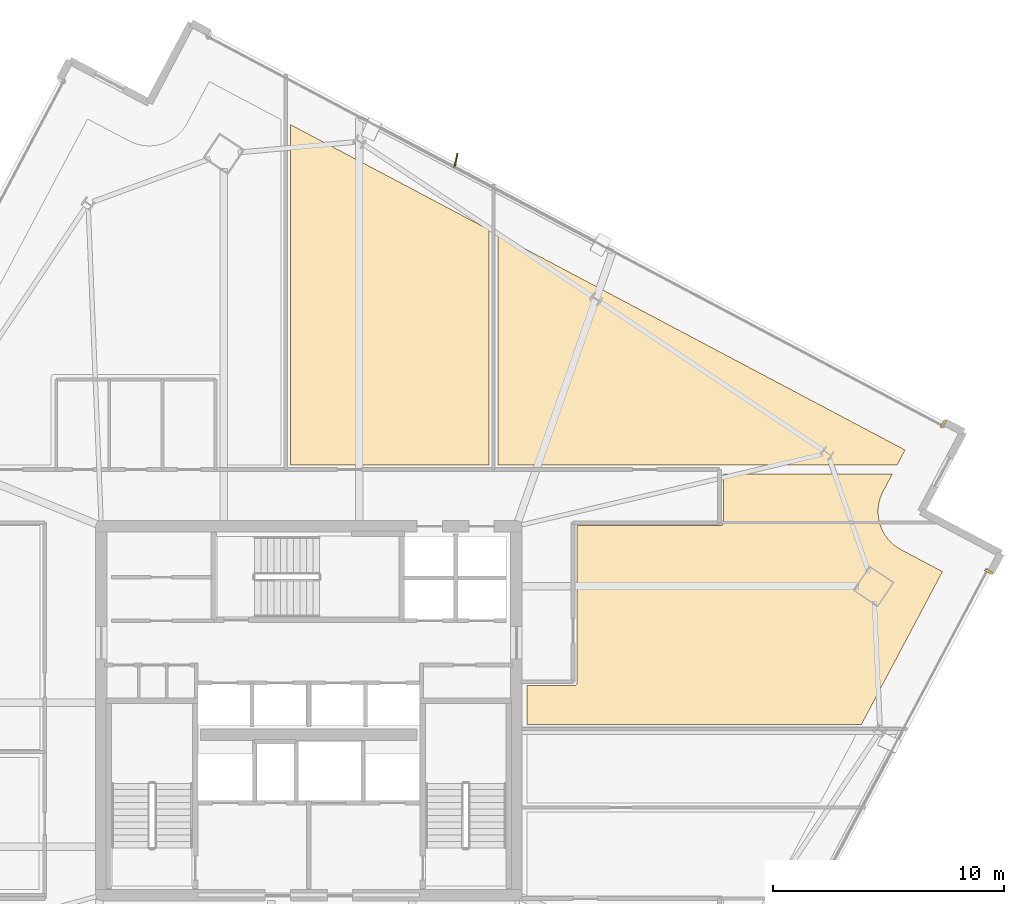
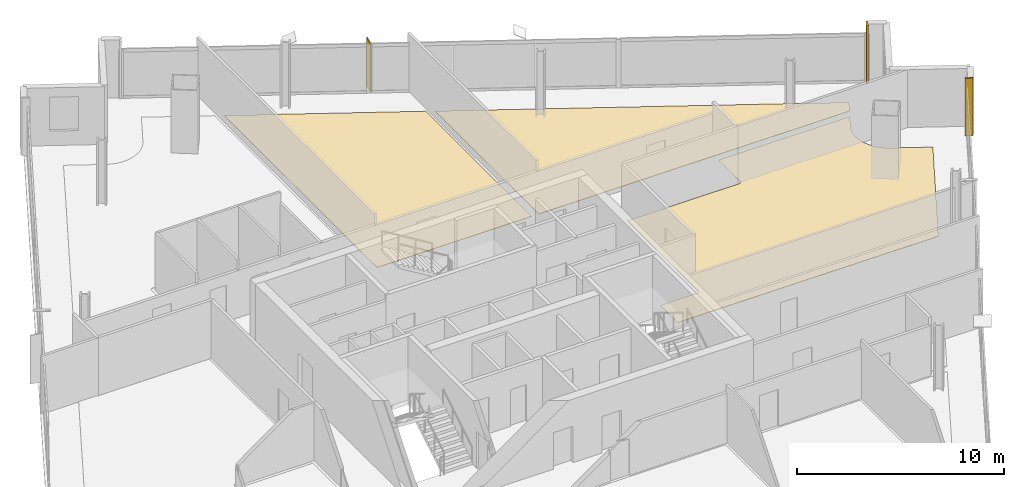
# One storey, part 28 of 28: 5 coverings, 1 shading device.
"""IFC4 building model written with IfcOpenShell, lengths in metres."""

import ifcopenshell
import ifcopenshell.guid

model = None  # the IFC model being written
_history = None  # IfcOwnerHistory: only IFC2X3 demands one
_inside = {}  # id of a spatial element -> (the spatial element, [elements in it])
_under = {}  # id of a project, library or spatial element -> (it, [spatial elements below it])
_declared = {}  # id of a project -> (the project, [libraries it declares])
_typed = {}  # id of a type object -> (the type object, [elements of that type])
_made_of = {}  # id of a material, layer set ... -> (it, [elements and type objects made of it])


def new_model(schema):
    """Start an empty IFC model of exactly this schema.

    Asked for "IFC4X3", IfcOpenShell would pick the latest addendum, in which some entities
    have other attributes; the version numbers below select the first issue.
    IFC2X3 requires an IfcOwnerHistory on every rooted entity: one is made here for all.
    """
    global model, _history
    if schema == "IFC4X3":
        model = ifcopenshell.file(schema_version=(4, 3, 0, 0))
    else:
        model = ifcopenshell.file(schema=schema)
    _inside.clear()
    _under.clear()
    _declared.clear()
    _typed.clear()
    _made_of.clear()
    _history = None
    if model.schema == "IFC2X3":
        org = make("IfcOrganization", Name="unknown")
        user = make(
            "IfcPersonAndOrganization",
            ThePerson=make("IfcPerson", FamilyName="unknown"),
            TheOrganization=org,
        )
        app = make(
            "IfcApplication",
            ApplicationDeveloper=org,
            Version="unknown",
            ApplicationFullName="unknown",
            ApplicationIdentifier="unknown",
        )
        _history = make(
            "IfcOwnerHistory",
            OwningUser=user,
            OwningApplication=app,
            ChangeAction="ADDED",
            CreationDate=0,
        )
    return model


def make(cls, **values):
    """One entity of the class cls with the attributes given. An attribute that is None is left unset."""
    return model.create_entity(
        cls, **{name: value for name, value in values.items() if value is not None}
    )


def rooted(cls, **values):
    """An entity with a GlobalId (a new one), such as an element, a storey or a relation."""
    return make(cls, GlobalId=ifcopenshell.guid.new(), OwnerHistory=_history, **values)


def si_unit(unit_type, name, prefix=None):
    """IfcSIUnit, for example si_unit("LENGTHUNIT", "METRE", prefix="MILLI")."""
    return make("IfcSIUnit", UnitType=unit_type, Prefix=prefix, Name=name)


def assignment(units):
    """IfcUnitAssignment: the units of a project."""
    return None if units is None else make("IfcUnitAssignment", Units=units)


def point(xyz):
    """IfcCartesianPoint."""
    return None if xyz is None else make("IfcCartesianPoint", Coordinates=xyz)


def direction(xyz):
    """IfcDirection."""
    return None if xyz is None else make("IfcDirection", DirectionRatios=xyz)


def frame(location, z_axis=None, x_axis=None):
    """IfcAxis2Placement3D, a coordinate frame: its origin and axes. An axis left out is left unset."""
    return make(
        "IfcAxis2Placement3D",
        Location=point(location),
        Axis=direction(z_axis),
        RefDirection=direction(x_axis),
    )


def frame_2d(location, x_axis=None):
    """IfcAxis2Placement2D, a coordinate frame in the plane: its origin and x axis."""
    return make(
        "IfcAxis2Placement2D", Location=point(location), RefDirection=direction(x_axis)
    )


def origin():
    """The frame at (0, 0, 0) with its axes left unset."""
    return frame((0.0, 0.0, 0.0))


def origin_2d():
    """The frame at (0, 0) in the plane with its x axis left unset."""
    return frame_2d((0.0, 0.0))


def place(relative_to, where):
    """IfcLocalPlacement: puts the frame where relative to a parent placement (None: the world)."""
    return make(
        "IfcLocalPlacement", PlacementRelTo=relative_to, RelativePlacement=where
    )


def context(
    kind, dimensions, precision=None, world=None, true_north=None, identifier=None
):
    """IfcGeometricRepresentationContext, for example the 3D "Model" context."""
    return make(
        "IfcGeometricRepresentationContext",
        ContextIdentifier=identifier,
        ContextType=kind,
        CoordinateSpaceDimension=dimensions,
        Precision=precision,
        WorldCoordinateSystem=world,
        TrueNorth=true_north,
    )


def subcontext(parent, identifier, kind, view, scale=None):
    """IfcGeometricRepresentationSubContext, for example "Body" below "Model"."""
    return make(
        "IfcGeometricRepresentationSubContext",
        ContextIdentifier=identifier,
        ContextType=kind,
        ParentContext=parent,
        TargetScale=scale,
        TargetView=view,
    )


def project(units=None, contexts=None):
    """IfcProject with its units and contexts."""
    return rooted(
        "IfcProject",
        Name="project",
        RepresentationContexts=contexts,
        UnitsInContext=assignment(units),
    )


def spatial(cls, under=None, at=None, **own):
    """A site, building, storey or space (cls), placed at a placement, below another one or the project."""
    s = rooted(cls, ObjectPlacement=at, **own)
    if under is not None:
        _under.setdefault(under.id(), (under, []))[1].append(s)
    return s


def polyline(points):
    """IfcPolyline through the points."""
    return make("IfcPolyline", Points=[point(p) for p in points])


def profile(cls, at=None, kind="AREA", **sizes):
    """A parametric profile (cls). Its sizes go by their IFC names, for example OverallWidth=200.0."""
    return make(cls, ProfileType=kind, Position=at, **sizes)


def rectangle(**sizes):
    """IfcRectangleProfileDef."""
    return profile("IfcRectangleProfileDef", **sizes)


def outline(outer, holes=None, kind="AREA"):
    """IfcArbitraryClosedProfileDef: a profile drawn as a closed curve; with holes, ...WithVoids."""
    if holes is None:
        return make("IfcArbitraryClosedProfileDef", ProfileType=kind, OuterCurve=outer)
    return make(
        "IfcArbitraryProfileDefWithVoids",
        ProfileType=kind,
        OuterCurve=outer,
        InnerCurves=holes,
    )


def extrude(swept, where, along, depth):
    """IfcExtrudedAreaSolid: the profile swept, set in the frame where, extruded along a direction by depth."""
    return make(
        "IfcExtrudedAreaSolid",
        SweptArea=swept,
        Position=where,
        ExtrudedDirection=direction(along),
        Depth=depth,
    )


def shape(context_of_items, identifier, shape_type, items):
    """IfcShapeRepresentation: the items that make up one representation, for example the "Body"."""
    return make(
        "IfcShapeRepresentation",
        ContextOfItems=context_of_items,
        RepresentationIdentifier=identifier,
        RepresentationType=shape_type,
        Items=items,
    )


def source(mapping_origin, context_of_items, identifier, shape_type, items):
    """IfcRepresentationMap: a shape defined once, which mapped items show again and again."""
    return make(
        "IfcRepresentationMap",
        MappingOrigin=mapping_origin,
        MappedRepresentation=shape(context_of_items, identifier, shape_type, items),
    )


def transform(
    local_origin,
    x_axis=None,
    y_axis=None,
    z_axis=None,
    scale=None,
    scale2=None,
    scale3=None,
    uniform=True,
):
    """IfcCartesianTransformationOperator3D, or its non-uniform kind. x_axis, y_axis, z_axis: its Axis1, 2, 3."""
    if uniform:
        return make(
            "IfcCartesianTransformationOperator3D",
            Axis1=direction(x_axis),
            Axis2=direction(y_axis),
            LocalOrigin=point(local_origin),
            Scale=scale,
            Axis3=direction(z_axis),
        )
    return make(
        "IfcCartesianTransformationOperator3DnonUniform",
        Axis1=direction(x_axis),
        Axis2=direction(y_axis),
        LocalOrigin=point(local_origin),
        Scale=scale,
        Axis3=direction(z_axis),
        Scale2=scale2,
        Scale3=scale3,
    )


def mapped(mapping_source, mapping_target):
    """IfcMappedItem: shows the shape of a source again, moved by a transform."""
    return make(
        "IfcMappedItem", MappingSource=mapping_source, MappingTarget=mapping_target
    )


def material(Name=None, Category=None):
    """IfcMaterial."""
    return make("IfcMaterial", Name=Name, Category=Category)


def layer(
    of_material, thickness, ventilated=None, Name=None, Category=None, Priority=None
):
    """IfcMaterialLayer: one layer of a wall or slab, of a material (None: an air gap)."""
    return make(
        "IfcMaterialLayer",
        Material=of_material,
        LayerThickness=thickness,
        IsVentilated=ventilated,
        Name=Name,
        Category=Category,
        Priority=Priority,
    )


def layer_set(layers, Name=None):
    """IfcMaterialLayerSet."""
    return make("IfcMaterialLayerSet", MaterialLayers=layers, LayerSetName=Name)


def made_of(thing, what):
    """Note that an element or type object is made of a material, layer set ...; save() writes the relation."""
    if what is not None:
        _made_of.setdefault(what.id(), (what, []))[1].append(thing)
    return thing


def type_object(cls, material=None, **own):
    """A type object (cls), such as IfcWallType, which elements share."""
    return made_of(rooted(cls, **own), material)


def element(
    cls,
    number,
    at=None,
    inside=None,
    cuts=None,
    type_object=None,
    material=None,
    context=None,
    identifier="Body",
    shape_type=None,
    held_by="IfcProductDefinitionShape",
    body=None,
    shapes=None,
    **own,
):
    """One element of the class cls, such as IfcWall. Its Tag is "e" and its number.

    at: its placement. inside: the storey or other place that contains it. cuts: it is an
    opening in that element (IfcRelVoidsElement). A single representation is given by context,
    identifier, shape_type and body (its items); several are given by shapes. held_by: the class
    of the entity that holds the representations. save() writes the other relations.
    """
    e = rooted(cls, Tag="e%d" % number, ObjectPlacement=at, **own)
    if body is not None:
        shapes = [shape(context, identifier, shape_type, body)]
    if shapes is not None:
        e.Representation = make(held_by, Representations=shapes)
    if inside is not None:
        _inside.setdefault(inside.id(), (inside, []))[1].append(e)
    if cuts is not None:
        rooted(
            "IfcRelVoidsElement", RelatingBuildingElement=cuts, RelatedOpeningElement=e
        )
    if type_object is not None:
        _typed.setdefault(type_object.id(), (type_object, []))[1].append(e)
    return made_of(e, material)


def aggregate(whole, parts):
    """IfcRelAggregates: a whole, such as a stair, and the parts it consists of."""
    return rooted("IfcRelAggregates", RelatingObject=whole, RelatedObjects=parts)


def save(model, path):
    """Write the relations noted so far, then the file.

    IfcRelAggregates (storeys below a building ...), IfcRelContainedInSpatialStructure (elements
    in a storey), IfcRelDefinesByType, IfcRelAssociatesMaterial and IfcRelDeclares: one each for
    every whole, place, type object, material and project.
    """
    for whole, parts in _under.values():
        aggregate(whole, parts)
    for where, things in _inside.values():
        rooted(
            "IfcRelContainedInSpatialStructure",
            RelatedElements=things,
            RelatingStructure=where,
        )
    for kind, things in _typed.values():
        rooted("IfcRelDefinesByType", RelatedObjects=things, RelatingType=kind)
    for what, things in _made_of.values():
        rooted("IfcRelAssociatesMaterial", RelatedObjects=things, RelatingMaterial=what)
    for by, libraries in _declared.values():
        rooted("IfcRelDeclares", RelatingContext=by, RelatedDefinitions=libraries)
    model.write(path)


model = new_model("IFC4")

# Units and contexts
model_context = context("Model", 3, precision=1e-05, world=origin(), true_north=direction((0.0, 1.0)))
body_context = subcontext(model_context, "Body", "Model", "MODEL_VIEW")
ifc_project = project(units=[si_unit("LENGTHUNIT", "METRE"), si_unit("AREAUNIT", "SQUARE_METRE"), si_unit("VOLUMEUNIT", "CUBIC_METRE"), si_unit("PLANEANGLEUNIT", "RADIAN"), si_unit("MASSUNIT", "GRAM", prefix="KILO")], contexts=[model_context])

# Site, building, storey
site_placement = place(None, origin())
site = spatial("IfcSite", under=ifc_project, at=site_placement, CompositionType="ELEMENT")
building_placement = place(site_placement, origin())
building = spatial("IfcBuilding", under=site, at=building_placement, Name="Haldenkirk Collegiate Tower", CompositionType="ELEMENT")
storey_placement = place(building_placement, frame((0.0, 0.0, 235.949951171875)))
storey = spatial("IfcBuildingStorey", under=building, at=storey_placement, Name="L59", CompositionType="ELEMENT", Elevation=235.949951171875)

# Coverings
ifc_material_1 = material(Name="Polished collegiate terrazzo", Category="concrete")
ifc_layer_1 = layer(ifc_material_1, 0.02490234375)
ifc_layer_set_1 = layer_set([ifc_layer_1], Name="Polished collegiate terrazzo")
covering_type_1 = type_object("IfcCoveringType", Name="COV-FLOOR-TERRAZZO", PredefinedType="FLOORING", material=ifc_layer_set_1)
covering_1_placement = place(storey_placement, origin())
element("IfcCovering", 1, at=covering_1_placement, inside=storey, type_object=covering_type_1, Name="L59 academic room finish 08", PredefinedType="FLOORING", context=body_context, shape_type="SweptSolid", body=[
    extrude(outline(polyline([(43.800048828125, 46.854248046875), (43.800048828125, 36.64990234375), (35.199951171875, 36.64990234375), (35.199951171875, 51.40771484375), (43.800048828125, 46.854248046875)])), origin(), (0.0, 0.0, 1.0), 0.025146484375),
])
ifc_material_2 = material(Name="Engineered collegiate oak acoustic flooring", Category="wood")
ifc_layer_2 = layer(ifc_material_2, 0.02197265625)
ifc_layer_set_2 = layer_set([ifc_layer_2], Name="Engineered collegiate oak acoustic flooring")
covering_type_2 = type_object("IfcCoveringType", Name="COV-FLOOR-TIMBER", PredefinedType="FLOORING", material=ifc_layer_set_2)
covering_2_placement = place(storey_placement, origin())
element("IfcCovering", 2, at=covering_2_placement, inside=storey, type_object=covering_type_2, Name="L59 academic room finish 09", PredefinedType="FLOORING", context=body_context, shape_type="SweptSolid", body=[
    extrude(outline(polyline([(61.846435546875, 37.299072265625), (61.502685546875, 36.64990234375), (44.199951171875, 36.64990234375), (44.199951171875, 46.642333984375), (61.846435546875, 37.299072265625)])), origin(), (0.0, 0.0, 1.0), 0.02197265625),
])
covering_3_placement = place(storey_placement, origin())
element("IfcCovering", 3, at=covering_3_placement, inside=storey, type_object=covering_type_2, Name="L59 academic room finish 13", PredefinedType="FLOORING", context=body_context, shape_type="SweptSolid", body=[
    extrude(outline(polyline([(47.5, 27.080078125), (47.51171875, 27.08056640625), (47.5234375, 27.082275390625), (47.534912109375, 27.085205078125), (47.5458984375, 27.089111328125), (47.556640625, 27.09423828125), (47.566650390625, 27.10009765625), (47.576171875, 27.107177734375), (47.5849609375, 27.114990234375), (47.5927734375, 27.123779296875), (47.599853515625, 27.13330078125), (47.605712890625, 27.143310546875), (47.61083984375, 27.154052734375), (47.61474609375, 27.165283203125), (47.61767578125, 27.176513671875), (47.619384765625, 27.188232421875), (47.6201171875, 27.199951171875), (47.6201171875, 34.030029296875), (53.85009765625, 34.030029296875), (53.86181640625, 34.030517578125), (53.873291015625, 34.0322265625), (53.884765625, 34.03515625), (53.89599609375, 34.0390625), (53.906494140625, 34.044189453125), (53.916748046875, 34.05029296875), (53.926025390625, 34.05712890625), (53.934814453125, 34.065185546875), (53.94287109375, 34.073974609375), (53.94970703125, 34.083251953125), (53.955810546875, 34.093505859375), (53.9609375, 34.10400390625), (53.96484375, 34.115234375), (53.9677734375, 34.126708984375), (53.969482421875, 34.13818359375), (53.969970703125, 34.14990234375), (53.969970703125, 36.25), (61.291015625, 36.25), (60.896484375, 35.505126953125), (60.893798828125, 35.499755859375), (60.821044921875, 35.34423828125), (60.81640625, 35.33349609375), (60.75927734375, 35.17138671875), (60.756103515625, 35.16015625), (60.71484375, 34.993408203125), (60.712646484375, 34.981689453125), (60.68798828125, 34.811767578125), (60.68701171875, 34.80029296875), (60.67919921875, 34.628662109375), (60.67919921875, 34.61669921875), (60.6884765625, 34.4453125), (60.689697265625, 34.43359375), (60.715576171875, 34.263916015625), (60.7177734375, 34.252197265625), (60.76025390625, 34.0859375), (60.763671875, 34.07470703125), (60.822021484375, 33.9130859375), (60.82666015625, 33.902099609375), (60.900634765625, 33.747314453125), (60.90625, 33.73681640625), (60.9951171875, 33.590087890625), (61.001708984375, 33.580078125), (61.1044921875, 33.442626953125), (61.112060546875, 33.43359375), (61.227783203125, 33.306884765625), (61.236328125, 33.298583984375), (61.364013671875, 33.18359375), (61.373046875, 33.17626953125), (61.511474609375, 33.074462890625), (61.521240234375, 33.06787109375), (61.6689453125, 32.980224609375), (61.674072265625, 32.977294921875), (63.468017578125, 32.02734375), (59.959228515625, 25.39990234375), (45.449951171875, 25.39990234375), (45.449951171875, 27.080078125), (47.5, 27.080078125)])), origin(), (0.0, 0.0, 1.0), 0.02197265625),
])
ifc_material_3 = material(Name="Anodised architectural bronze aluminium", Category="aluminium")
ifc_layer_3 = layer(ifc_material_3, 0.06005859375)
ifc_layer_set_3 = layer_set([ifc_layer_3], Name="Anodised architectural bronze aluminium")
covering_type_3 = type_object("IfcCoveringType", Name="COV-CLAD-BRONZE-60", PredefinedType="CLADDING", material=ifc_layer_set_3)
shared_shape_1 = source(origin(), body_context, "Body", "SweptSolid", [
    extrude(rectangle(XDim=0.10009765625, YDim=0.3798828125, at=origin_2d()), origin(), (0.0, 0.0, 1.0), 3.39990234375),
])
for number, where, z_axis, x_axis, name in (
    (4, (65.481201171875, 32.025146484375, 0.0), (0.0, 0.0, 1.0), (-0.467929814261, -0.883765630089, 0.0), "L59 recessed curtain-wall bronze jamb closure SJL"),
    (5, (63.510009765625, 38.432373046875, 0.0), (0.0, 0.0, 1.0), (0.883765630089, -0.467929814261, 0.0), "L59 recessed curtain-wall bronze jamb closure EJR"),
):
    element("IfcCovering", number, at=place(storey_placement, frame(where, z_axis=z_axis, x_axis=x_axis)), inside=storey, type_object=covering_type_3, Name=name, PredefinedType="CLADDING", context=body_context, shape_type="MappedRepresentation", body=[
        mapped(shared_shape_1, transform((0.0, 0.0, 0.0), x_axis=(1.0, 0.0, 0.0), y_axis=(0.0, 1.0, 0.0), z_axis=(0.0, 0.0, 1.0), scale=1.0)),
    ])

# Shading device
ifc_layer_4 = layer(ifc_material_3, 0.06494140625)
ifc_layer_set_4 = layer_set([ifc_layer_4], Name="Anodised architectural bronze aluminium")
shading_device_type = type_object("IfcShadingDeviceType", Name="SHD-FIN-BRONZE-620", PredefinedType="USERDEFINED", material=ifc_layer_set_4)
shared_shape_2 = source(origin(), body_context, "Body", "SweptSolid", [
    extrude(rectangle(XDim=0.6201171875, YDim=0.06494140625, at=origin_2d()), origin(), (0.0, 0.0, 1.0), 2.85791015625),
])
shading_device_placement = place(storey_placement, frame((42.3779296875, 49.85302734375, 0.0), z_axis=(0.0, 0.0, 1.0), x_axis=(0.206204185397, 0.978508985102, 0.0)))
element("IfcShadingDevice", 6, at=shading_device_placement, inside=storey, type_object=shading_device_type, Name="L59 folded bronze solar fin 1", ObjectType="FIN", PredefinedType="USERDEFINED", context=body_context, shape_type="MappedRepresentation", body=[
    mapped(shared_shape_2, transform((0.0, 0.0, 0.0), x_axis=(1.0, 0.0, 0.0), y_axis=(0.0, 1.0, 0.0), z_axis=(0.0, 0.0, 1.0), scale=1.0)),
])

save(model, "model.ifc")
